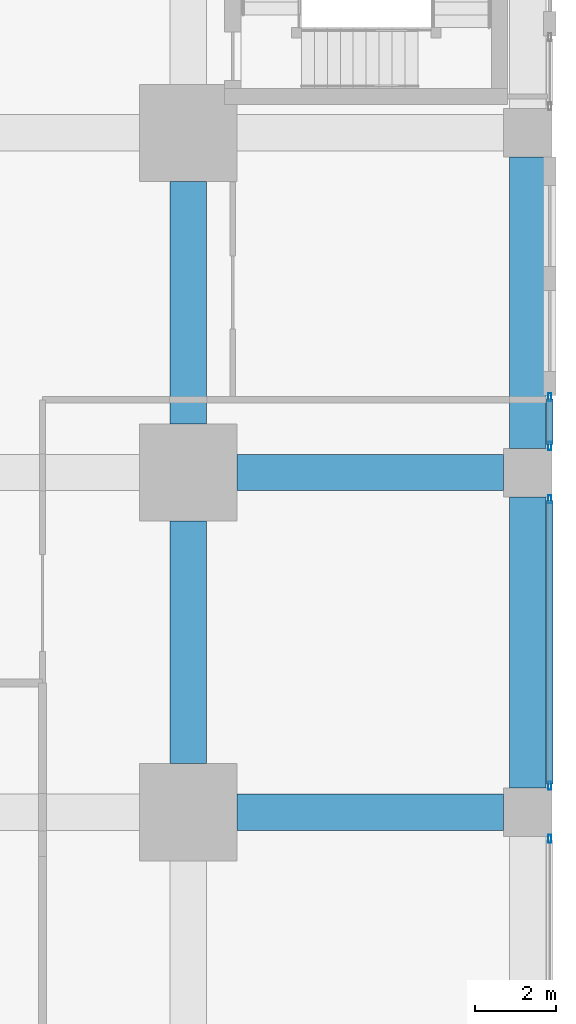
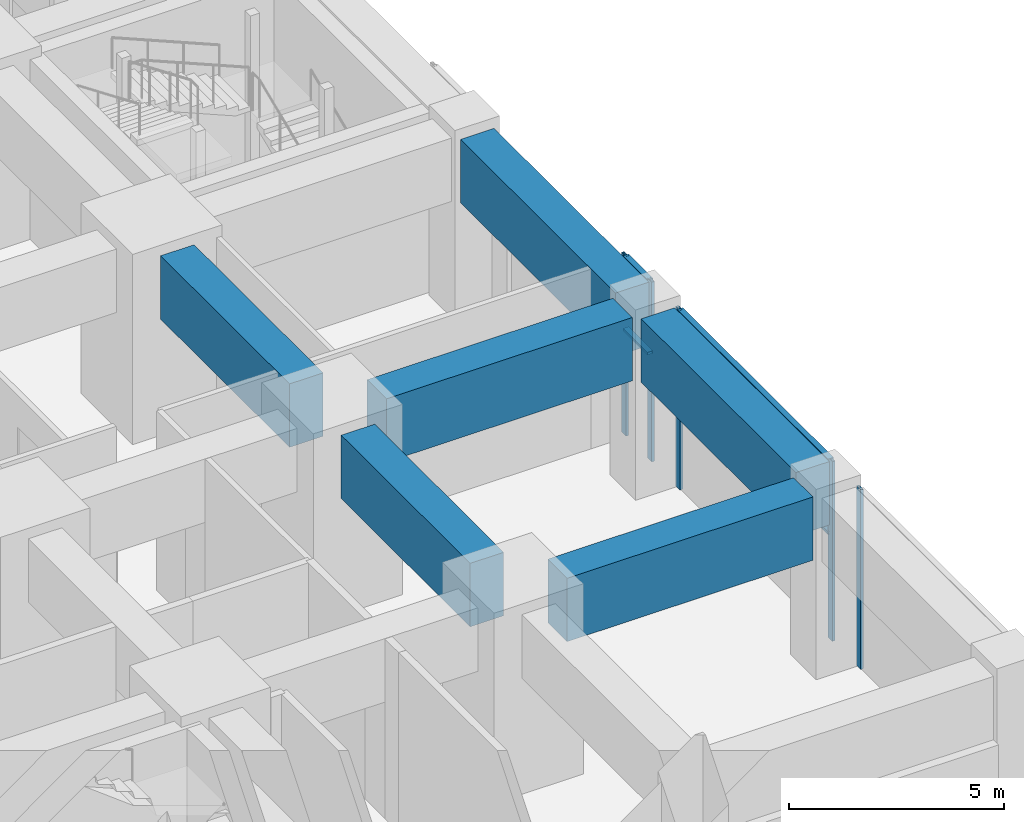
# One storey, part 30 of 81: 9 members, 6 beams, 3 elements without a shape of their own.
"""IFC4 building model written with IfcOpenShell, lengths in metres."""

from ifc_helpers import new_model, si_unit, direction, frame, origin, origin_2d, place, context, subcontext, project, spatial, rectangle, hollow_rectangle, extrude, material, material_profile, profile_set, type_object, element, aggregate, save


model = new_model("IFC4")

# Units and contexts
model_context = context("Model", 3, precision=1e-05, world=origin(), true_north=direction((0.0, 1.0)))
body_context = subcontext(model_context, "Body", "Model", "MODEL_VIEW")
ifc_project = project(units=[si_unit("LENGTHUNIT", "METRE"), si_unit("AREAUNIT", "SQUARE_METRE"), si_unit("VOLUMEUNIT", "CUBIC_METRE"), si_unit("PLANEANGLEUNIT", "RADIAN"), si_unit("MASSUNIT", "GRAM", prefix="KILO")], contexts=[model_context])

# Site, building, storey
site_placement = place(None, origin())
site = spatial("IfcSite", under=ifc_project, at=site_placement, CompositionType="ELEMENT")
building_placement = place(site_placement, origin())
building = spatial("IfcBuilding", under=site, at=building_placement, Name="Rekha Terrace Tower", CompositionType="ELEMENT")
storey_placement = place(building_placement, origin())
storey = spatial("IfcBuildingStorey", under=building, at=storey_placement, Name="L00", CompositionType="ELEMENT", Elevation=0.0)

# Curtain wall, member
ifc_material_1 = material(Name="Aluminium framing", Category="aluminium")
curtain_wall_type = type_object("IfcCurtainWallType", Name="CW4 podium shopfront glazing", PredefinedType="USERDEFINED", material=ifc_material_1)
curtain_wall_1_placement = place(storey_placement, origin())
curtain_wall_1 = element("IfcCurtainWall", 1, at=curtain_wall_1_placement, inside=storey, type_object=curtain_wall_type, Name="CW4 shopfront curtain wall", ObjectType="SHOPFRONT CURTAIN WALL", PredefinedType="USERDEFINED")
ifc_material_2 = material(Name="Aluminium mullion section", Category="aluminium")
ifc_material_profile_1 = material_profile(ifc_material_2, hollow_rectangle(XDim=0.074951171875, YDim=0.199951171875, WallThickness=0.00390625, at=origin_2d()), Name="AL RHS 75x200")
ifc_profile_set_1 = profile_set([ifc_material_profile_1], Name="Aluminium mullion section")
member_type_1 = type_object("IfcMemberType", Name="CW4 mullion RHS 75 x 200", PredefinedType="MULLION", material=ifc_profile_set_1)
member_1_placement = place(storey_placement, frame((76.139892578125, 7.742431640625, 0.0), z_axis=(0.0, 0.0, 1.0), x_axis=(-1.0, 0.0, 0.0)))
member_1 = element("IfcMember", 2, at=member_1_placement, type_object=member_type_1, Name="CW4 mullion 2", PredefinedType="MULLION", context=body_context, shape_type="SweptSolid", body=[
    extrude(hollow_rectangle(XDim=0.074951171875, YDim=0.199951171875, WallThickness=0.00390625, at=origin_2d()), origin(), (0.0, 0.0, 1.0), 5.10009765625),
])
aggregate(curtain_wall_1, [member_1])

# Curtain wall, members
curtain_wall_2_placement = place(storey_placement, origin())
curtain_wall_2 = element("IfcCurtainWall", 3, at=curtain_wall_2_placement, inside=storey, type_object=curtain_wall_type, Name="CW4 shopfront curtain wall", ObjectType="SHOPFRONT CURTAIN WALL", PredefinedType="USERDEFINED")
member_2_placement = place(storey_placement, frame((76.139892578125, 9.0576171875, 0.0), z_axis=(0.0, 0.0, 1.0), x_axis=(-1.0, 0.0, 0.0)))
member_2 = element("IfcMember", 4, at=member_2_placement, type_object=member_type_1, Name="CW4 mullion 1", PredefinedType="MULLION", context=body_context, shape_type="SweptSolid", body=[
    extrude(hollow_rectangle(XDim=0.074951171875, YDim=0.199951171875, WallThickness=0.00390625, at=origin_2d()), origin(), (0.0, 0.0, 1.0), 5.10009765625),
])
member_3_placement = place(storey_placement, frame((76.139892578125, 16.142578125, 0.0), z_axis=(0.0, 0.0, 1.0), x_axis=(-1.0, 0.0, 0.0)))
member_3 = element("IfcMember", 5, at=member_3_placement, type_object=member_type_1, Name="CW4 mullion 2", PredefinedType="MULLION", context=body_context, shape_type="SweptSolid", body=[
    extrude(hollow_rectangle(XDim=0.074951171875, YDim=0.199951171875, WallThickness=0.00390625, at=origin_2d()), origin(), (0.0, 0.0, 1.0), 5.10009765625),
])

curtain_wall_3_placement = place(storey_placement, origin())
curtain_wall_3 = element("IfcCurtainWall", 6, at=curtain_wall_3_placement, inside=storey, type_object=curtain_wall_type, Name="CW4 shopfront curtain wall", ObjectType="SHOPFRONT CURTAIN WALL", PredefinedType="USERDEFINED")
member_4_placement = place(storey_placement, frame((76.139892578125, 17.45751953125, 0.0), z_axis=(0.0, 0.0, 1.0), x_axis=(-1.0, 0.0, 0.0)))
member_4 = element("IfcMember", 7, at=member_4_placement, type_object=member_type_1, Name="CW4 mullion 1", PredefinedType="MULLION", context=body_context, shape_type="SweptSolid", body=[
    extrude(hollow_rectangle(XDim=0.074951171875, YDim=0.199951171875, WallThickness=0.00390625, at=origin_2d()), origin(), (0.0, 0.0, 1.0), 5.10009765625),
])
member_5_placement = place(storey_placement, frame((76.139892578125, 18.66259765625, 0.0), z_axis=(0.0, 0.0, 1.0), x_axis=(-1.0, 0.0, 0.0)))
member_5 = element("IfcMember", 8, at=member_5_placement, type_object=member_type_1, Name="CW4 mullion 2", PredefinedType="MULLION", context=body_context, shape_type="SweptSolid", body=[
    extrude(hollow_rectangle(XDim=0.074951171875, YDim=0.199951171875, WallThickness=0.00390625, at=origin_2d()), origin(), (0.0, 0.0, 1.0), 5.10009765625),
])

# Member
ifc_material_3 = material(Name="Aluminium transom section", Category="aluminium")
ifc_material_profile_2 = material_profile(ifc_material_3, hollow_rectangle(XDim=0.14990234375, YDim=0.074951171875, WallThickness=0.0029296875, at=origin_2d()), Name="AL RHS 150x75")
ifc_profile_set_2 = profile_set([ifc_material_profile_2], Name="Aluminium transom section")
member_type_2 = type_object("IfcMemberType", Name="CW4 transom RHS 75 x 150", PredefinedType="USERDEFINED", material=ifc_profile_set_2)
member_6_placement = place(storey_placement, frame((76.139892578125, 9.094970703125, 3.0), z_axis=(0.0, 1.0, 0.0), x_axis=(-1.0, 0.0, 0.0)))
member_6 = element("IfcMember", 9, at=member_6_placement, type_object=member_type_2, Name="CW4 transom 1.2", ObjectType="TRANSOM", PredefinedType="USERDEFINED", context=body_context, shape_type="SweptSolid", body=[
    extrude(hollow_rectangle(XDim=0.14990234375, YDim=0.074951171875, WallThickness=0.0029296875, at=origin_2d()), origin(), (0.0, 0.0, 1.0), 7.010009765625),
])

member_7_placement = place(storey_placement, frame((76.139892578125, 9.094970703125, 5.0625), z_axis=(0.0, 1.0, 0.0), x_axis=(-1.0, 0.0, 0.0)))
member_7 = element("IfcMember", 10, at=member_7_placement, type_object=member_type_2, Name="CW4 transom 1.3", ObjectType="TRANSOM", PredefinedType="USERDEFINED", context=body_context, shape_type="SweptSolid", body=[
    extrude(hollow_rectangle(XDim=0.14990234375, YDim=0.074951171875, WallThickness=0.0029296875, at=origin_2d()), origin(), (0.0, 0.0, 1.0), 7.010009765625),
])

aggregate(curtain_wall_2, [member_2, member_3, member_6, member_7])

member_8_placement = place(storey_placement, frame((76.139892578125, 17.4951171875, 3.0), z_axis=(0.0, 1.0, 0.0), x_axis=(-1.0, 0.0, 0.0)))
member_8 = element("IfcMember", 11, at=member_8_placement, type_object=member_type_2, Name="CW4 transom 1.2", ObjectType="TRANSOM", PredefinedType="USERDEFINED", context=body_context, shape_type="SweptSolid", body=[
    extrude(hollow_rectangle(XDim=0.14990234375, YDim=0.074951171875, WallThickness=0.0029296875, at=origin_2d()), origin(), (0.0, 0.0, 1.0), 1.1298828125),
])

member_9_placement = place(storey_placement, frame((76.139892578125, 17.4951171875, 5.0625), z_axis=(0.0, 1.0, 0.0), x_axis=(-1.0, 0.0, 0.0)))
member_9 = element("IfcMember", 12, at=member_9_placement, type_object=member_type_2, Name="CW4 transom 1.3", ObjectType="TRANSOM", PredefinedType="USERDEFINED", context=body_context, shape_type="SweptSolid", body=[
    extrude(hollow_rectangle(XDim=0.14990234375, YDim=0.074951171875, WallThickness=0.0029296875, at=origin_2d()), origin(), (0.0, 0.0, 1.0), 1.1298828125),
])

aggregate(curtain_wall_3, [member_4, member_5, member_8, member_9])

# Beams
ifc_material_4 = material(Name="Concrete M60", Category="concrete")
ifc_material_profile_3 = material_profile(ifc_material_4, rectangle(XDim=0.89990234375, YDim=1.800048828125, at=origin_2d()), Name="RC 900x1800")
ifc_profile_set_3 = profile_set([ifc_material_profile_3], Name="Concrete M60")
beam_type = type_object("IfcBeamType", Name="G1 900x1800 podium floor beam", PredefinedType="BEAM", material=ifc_profile_set_3)
beam_1_placement = place(storey_placement, frame((68.39990234375, 8.39990234375, 4.199951171875), z_axis=(1.0, 0.0, 0.0), x_axis=(0.0, 1.0, 0.0)))
element("IfcBeam", 13, at=beam_1_placement, inside=storey, type_object=beam_type, Name="Beam G1 9B-10B under L01", PredefinedType="BEAM", context=body_context, shape_type="SweptSolid", body=[
    extrude(rectangle(XDim=0.89990234375, YDim=1.800048828125, at=origin_2d()), origin(), (0.0, 0.0, 1.0), 6.60009765625),
])
beam_2_placement = place(storey_placement, frame((67.199951171875, 9.60009765625, 4.199951171875), z_axis=(0.0, 1.0, 0.0), x_axis=(-1.0, 0.0, 0.0)))
element("IfcBeam", 14, at=beam_2_placement, inside=storey, type_object=beam_type, Name="Beam G1 9B-9C under L01", PredefinedType="BEAM", context=body_context, shape_type="SweptSolid", body=[
    extrude(rectangle(XDim=0.89990234375, YDim=1.800048828125, at=origin_2d()), origin(), (0.0, 0.0, 1.0), 6.0),
])
beam_3_placement = place(storey_placement, frame((68.39990234375, 16.800048828125, 4.199951171875), z_axis=(1.0, 0.0, 0.0), x_axis=(0.0, 1.0, 0.0)))
element("IfcBeam", 15, at=beam_3_placement, inside=storey, type_object=beam_type, Name="Beam G1 9C-10C under L01", PredefinedType="BEAM", context=body_context, shape_type="SweptSolid", body=[
    extrude(rectangle(XDim=0.89990234375, YDim=1.800048828125, at=origin_2d()), origin(), (0.0, 0.0, 1.0), 6.60009765625),
])
beam_4_placement = place(storey_placement, frame((67.199951171875, 18.0, 4.199951171875), z_axis=(0.0, 1.0, 0.0), x_axis=(-1.0, 0.0, 0.0)))
element("IfcBeam", 16, at=beam_4_placement, inside=storey, type_object=beam_type, Name="Beam G1 9C-9D under L01", PredefinedType="BEAM", context=body_context, shape_type="SweptSolid", body=[
    extrude(rectangle(XDim=0.89990234375, YDim=1.800048828125, at=origin_2d()), origin(), (0.0, 0.0, 1.0), 6.0),
])
beam_5_placement = place(storey_placement, frame((75.60009765625, 9.0, 4.199951171875), z_axis=(0.0, 1.0, 0.0), x_axis=(-1.0, 0.0, 0.0)))
element("IfcBeam", 17, at=beam_5_placement, inside=storey, type_object=beam_type, Name="Beam G1 10B-10C under L01", PredefinedType="BEAM", context=body_context, shape_type="SweptSolid", body=[
    extrude(rectangle(XDim=0.89990234375, YDim=1.800048828125, at=origin_2d()), origin(), (0.0, 0.0, 1.0), 7.199951171875),
])
beam_6_placement = place(storey_placement, frame((75.60009765625, 17.39990234375, 4.199951171875), z_axis=(0.0, 1.0, 0.0), x_axis=(-1.0, 0.0, 0.0)))
element("IfcBeam", 18, at=beam_6_placement, inside=storey, type_object=beam_type, Name="Beam G1 10C-10D under L01", PredefinedType="BEAM", context=body_context, shape_type="SweptSolid", body=[
    extrude(rectangle(XDim=0.89990234375, YDim=1.800048828125, at=origin_2d()), origin(), (0.0, 0.0, 1.0), 7.2001953125),
])

save(model, "model.ifc")
